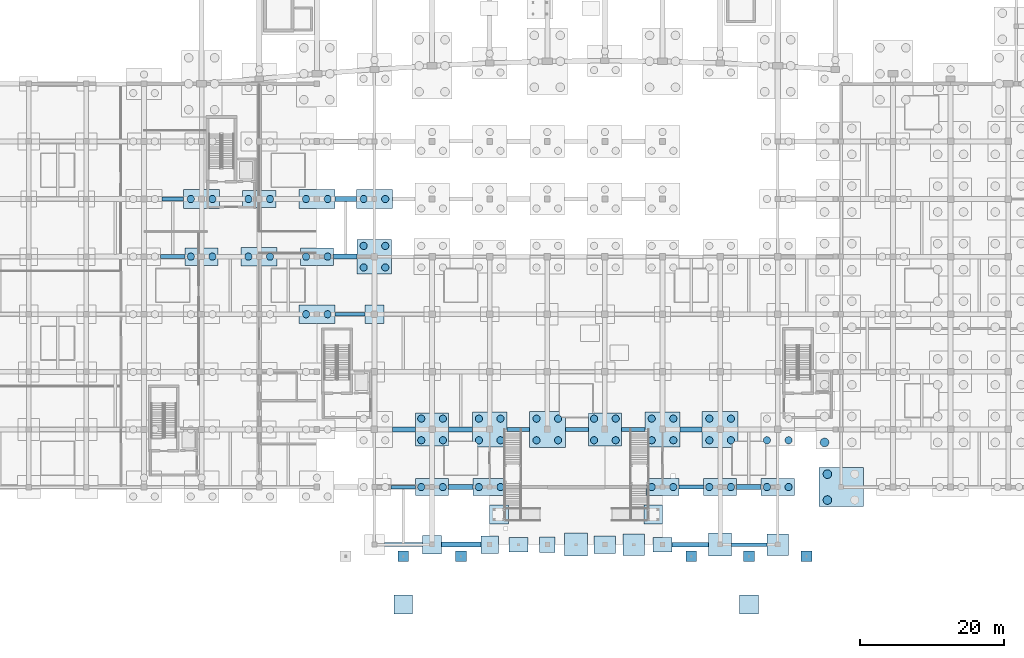
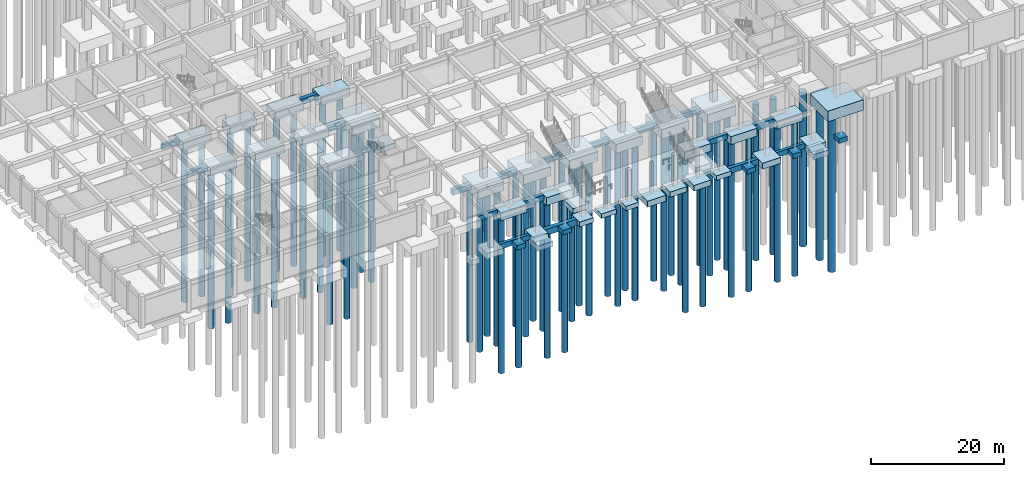
# One storey, part 2 of 45: 60 footings, 59 piles.
"""IFC4 building model written with IfcOpenShell, lengths in metres."""

from ifc_helpers import new_model, si_unit, direction, frame, origin, origin_2d, place, context, subcontext, project, spatial, rectangle, circle, extrude, material, material_profile, profile_set, type_object, element, save


model = new_model("IFC4")

# Units and contexts
model_context = context("Model", 3, precision=1e-05, world=origin(), true_north=direction((0.0, 1.0)))
body_context = subcontext(model_context, "Body", "Model", "MODEL_VIEW")
ifc_project = project(units=[si_unit("LENGTHUNIT", "METRE"), si_unit("AREAUNIT", "SQUARE_METRE"), si_unit("VOLUMEUNIT", "CUBIC_METRE"), si_unit("PLANEANGLEUNIT", "RADIAN"), si_unit("MASSUNIT", "GRAM", prefix="KILO")], contexts=[model_context])

# Site, building, storey
site_placement = place(None, origin())
site = spatial("IfcSite", under=ifc_project, at=site_placement, CompositionType="ELEMENT")
building_placement = place(site_placement, origin())
building = spatial("IfcBuilding", under=site, at=building_placement, Name="Kenh Van Central Station", CompositionType="ELEMENT")
storey_placement = place(building_placement, frame((0.0, 0.0, -5.39990234375)))
storey = spatial("IfcBuildingStorey", under=building, at=storey_placement, Name="B1", CompositionType="ELEMENT", Elevation=-5.39990234375)

# Footings
ifc_material = material(Name="Concrete C40/50", Category="concrete")
ifc_material_profile_1 = material_profile(ifc_material, rectangle(XDim=0.5, YDim=0.89990234375, at=origin_2d()), Name="RC 500x900")
ifc_profile_set_1 = profile_set([ifc_material_profile_1], Name="Concrete C40/50")
footing_type_1 = type_object("IfcFootingType", Name="FBM-500x900", PredefinedType="FOOTING_BEAM", material=ifc_profile_set_1)
footing_1_placement = place(storey_placement, frame((26.5, 48.0, -0.85009765625), z_axis=(1.0, 0.0, 0.0), x_axis=(0.0, 1.0, 0.0)))
element("IfcFooting", 1, at=footing_1_placement, inside=storey, type_object=footing_type_1, Name="Ground tie beam 034", PredefinedType="FOOTING_BEAM", context=body_context, shape_type="SweptSolid", body=[
    extrude(rectangle(XDim=0.5, YDim=0.89990234375, at=origin_2d()), origin(), (0.0, 0.0, 1.0), 3.0),
])
footing_2_placement = place(storey_placement, frame((50.5, 32.0, -0.85009765625), z_axis=(1.0, 0.0, 0.0), x_axis=(0.0, 1.0, 0.0)))
element("IfcFooting", 2, at=footing_2_placement, inside=storey, type_object=footing_type_1, Name="Ground tie beam 039", PredefinedType="FOOTING_BEAM", context=body_context, shape_type="SweptSolid", body=[
    extrude(rectangle(XDim=0.5, YDim=0.89990234375, at=origin_2d()), origin(), (0.0, 0.0, 1.0), 4.199951171875),
])
footing_3_placement = place(storey_placement, frame((58.300048828125, 8.0, -0.85009765625), z_axis=(1.0, 0.0, 0.0), x_axis=(0.0, 1.0, 0.0)))
element("IfcFooting", 3, at=footing_3_placement, inside=storey, type_object=footing_type_1, Name="Ground tie beam 044", PredefinedType="FOOTING_BEAM", context=body_context, shape_type="SweptSolid", body=[
    extrude(rectangle(XDim=0.5, YDim=0.89990234375, at=origin_2d()), origin(), (0.0, 0.0, 1.0), 3.39990234375),
])
footing_4_placement = place(storey_placement, frame((105.60009765625, 0.0, -0.85009765625), z_axis=(1.0, 0.0, 0.0), x_axis=(0.0, 1.0, 0.0)))
element("IfcFooting", 4, at=footing_4_placement, inside=storey, type_object=footing_type_1, Name="Ground tie beam 049", PredefinedType="FOOTING_BEAM", context=body_context, shape_type="SweptSolid", body=[
    extrude(rectangle(XDim=0.5, YDim=0.89990234375, at=origin_2d()), origin(), (0.0, 0.0, 1.0), 4.89990234375),
])
footing_5_placement = place(storey_placement, frame((74.39990234375, 16.0, -0.85009765625), z_axis=(1.0, 0.0, 0.0), x_axis=(0.0, 1.0, 0.0)))
element("IfcFooting", 5, at=footing_5_placement, inside=storey, type_object=footing_type_1, Name="Ground tie beam 059", PredefinedType="FOOTING_BEAM", context=body_context, shape_type="SweptSolid", body=[
    extrude(rectangle(XDim=0.5, YDim=0.89990234375, at=origin_2d()), origin(), (0.0, 0.0, 1.0), 3.10009765625),
])
ifc_material_profile_2 = material_profile(ifc_material, rectangle(XDim=0.550048828125, YDim=0.949951171875, at=origin_2d()), Name="RC 550x950")
ifc_profile_set_2 = profile_set([ifc_material_profile_2], Name="Concrete C40/50")
footing_type_2 = type_object("IfcFootingType", Name="FBM-550x950", PredefinedType="FOOTING_BEAM", material=ifc_profile_set_2)
footing_6_placement = place(storey_placement, frame((26.300048828125, 40.0, -0.875), z_axis=(1.0, 0.0, 0.0), x_axis=(0.0, 1.0, 0.0)))
element("IfcFooting", 6, at=footing_6_placement, inside=storey, type_object=footing_type_2, Name="Ground tie beam 033", PredefinedType="FOOTING_BEAM", context=body_context, shape_type="SweptSolid", body=[
    extrude(rectangle(XDim=0.550048828125, YDim=0.949951171875, at=origin_2d()), origin(), (0.0, 0.0, 1.0), 3.39990234375),
])
footing_7_placement = place(storey_placement, frame((57.39990234375, 0.0, -0.875), z_axis=(1.0, 0.0, 0.0), x_axis=(0.0, 1.0, 0.0)))
element("IfcFooting", 7, at=footing_7_placement, inside=storey, type_object=footing_type_2, Name="Ground tie beam 043", PredefinedType="FOOTING_BEAM", context=body_context, shape_type="SweptSolid", body=[
    extrude(rectangle(XDim=0.550048828125, YDim=0.949951171875, at=origin_2d()), origin(), (0.0, 0.0, 1.0), 5.300048828125),
])
footing_8_placement = place(storey_placement, frame((98.300048828125, 8.0, -0.875), z_axis=(1.0, 0.0, 0.0), x_axis=(0.0, 1.0, 0.0)))
element("IfcFooting", 8, at=footing_8_placement, inside=storey, type_object=footing_type_2, Name="Ground tie beam 048", PredefinedType="FOOTING_BEAM", context=body_context, shape_type="SweptSolid", body=[
    extrude(rectangle(XDim=0.550048828125, YDim=0.949951171875, at=origin_2d()), origin(), (0.0, 0.0, 1.0), 3.39990234375),
])
footing_9_placement = place(storey_placement, frame((82.5, 16.0, -0.875), z_axis=(1.0, 0.0, 0.0), x_axis=(0.0, 1.0, 0.0)))
element("IfcFooting", 9, at=footing_9_placement, inside=storey, type_object=footing_type_2, Name="Ground tie beam 063", PredefinedType="FOOTING_BEAM", context=body_context, shape_type="SweptSolid", body=[
    extrude(rectangle(XDim=0.550048828125, YDim=0.949951171875, at=origin_2d()), origin(), (0.0, 0.0, 1.0), 3.199951171875),
])
ifc_material_profile_3 = material_profile(ifc_material, rectangle(XDim=0.60009765625, YDim=1.0, at=origin_2d()), Name="RC 600x1000")
ifc_profile_set_3 = profile_set([ifc_material_profile_3], Name="Concrete C40/50")
footing_type_3 = type_object("IfcFootingType", Name="FBM-600x1000", PredefinedType="FOOTING_BEAM", material=ifc_profile_set_3)
footing_10_placement = place(storey_placement, frame((97.300048828125, 0.0, -0.900146484375), z_axis=(1.0, 0.0, 0.0), x_axis=(0.0, 1.0, 0.0)))
element("IfcFooting", 10, at=footing_10_placement, inside=storey, type_object=footing_type_3, Name="Ground tie beam 047", PredefinedType="FOOTING_BEAM", context=body_context, shape_type="SweptSolid", body=[
    extrude(rectangle(XDim=0.60009765625, YDim=1.0, at=origin_2d()), origin(), (0.0, 0.0, 1.0), 5.099853515625),
])
footing_11_placement = place(storey_placement, frame((90.300048828125, 16.0, -0.900146484375), z_axis=(1.0, 0.0, 0.0), x_axis=(0.0, 1.0, 0.0)))
element("IfcFooting", 11, at=footing_11_placement, inside=storey, type_object=footing_type_3, Name="Ground tie beam 067", PredefinedType="FOOTING_BEAM", context=body_context, shape_type="SweptSolid", body=[
    extrude(rectangle(XDim=0.60009765625, YDim=1.0, at=origin_2d()), origin(), (0.0, 0.0, 1.0), 3.300048828125),
])
ifc_material_profile_4 = material_profile(ifc_material, rectangle(XDim=0.64990234375, YDim=1.050048828125, at=origin_2d()), Name="RC 650x1050")
ifc_profile_set_4 = profile_set([ifc_material_profile_4], Name="Concrete C40/50")
footing_type_4 = type_object("IfcFootingType", Name="FBM-650x1050", PredefinedType="FOOTING_BEAM", material=ifc_profile_set_4)
footing_12_placement = place(storey_placement, frame((50.5, 48.0, -0.925048828125), z_axis=(1.0, 0.0, 0.0), x_axis=(0.0, 1.0, 0.0)))
element("IfcFooting", 12, at=footing_12_placement, inside=storey, type_object=footing_type_4, Name="Ground tie beam 041", PredefinedType="FOOTING_BEAM", context=body_context, shape_type="SweptSolid", body=[
    extrude(rectangle(XDim=0.64990234375, YDim=1.050048828125, at=origin_2d()), origin(), (0.0, 0.0, 1.0), 3.0),
])
footing_13_placement = place(storey_placement, frame((66.300048828125, 8.0, -0.925048828125), z_axis=(1.0, 0.0, 0.0), x_axis=(0.0, 1.0, 0.0)))
element("IfcFooting", 13, at=footing_13_placement, inside=storey, type_object=footing_type_4, Name="Ground tie beam 046", PredefinedType="FOOTING_BEAM", context=body_context, shape_type="SweptSolid", body=[
    extrude(rectangle(XDim=0.64990234375, YDim=1.050048828125, at=origin_2d()), origin(), (0.0, 0.0, 1.0), 3.39990234375),
])
footing_14_placement = place(storey_placement, frame((58.5, 16.0, -0.925048828125), z_axis=(1.0, 0.0, 0.0), x_axis=(0.0, 1.0, 0.0)))
element("IfcFooting", 14, at=footing_14_placement, inside=storey, type_object=footing_type_4, Name="Ground tie beam 051", PredefinedType="FOOTING_BEAM", context=body_context, shape_type="SweptSolid", body=[
    extrude(rectangle(XDim=0.64990234375, YDim=1.050048828125, at=origin_2d()), origin(), (0.0, 0.0, 1.0), 3.199951171875),
])
footing_15_placement = place(storey_placement, frame((98.39990234375, 16.0, -0.925048828125), z_axis=(1.0, 0.0, 0.0), x_axis=(0.0, 1.0, 0.0)))
element("IfcFooting", 15, at=footing_15_placement, inside=storey, type_object=footing_type_4, Name="Ground tie beam 071", PredefinedType="FOOTING_BEAM", context=body_context, shape_type="SweptSolid", body=[
    extrude(rectangle(XDim=0.64990234375, YDim=1.050048828125, at=origin_2d()), origin(), (0.0, 0.0, 1.0), 3.10009765625),
])
ifc_material_profile_5 = material_profile(ifc_material, rectangle(XDim=0.699951171875, YDim=1.14990234375, at=origin_2d()), Name="RC 700x1150")
ifc_profile_set_5 = profile_set([ifc_material_profile_5], Name="Concrete C40/50")
footing_type_5 = type_object("IfcFootingType", Name="FBM-700x1150", PredefinedType="FOOTING_BEAM", material=ifc_profile_set_5)
footing_16_placement = place(storey_placement, frame((50.300048828125, 40.0, -0.97509765625), z_axis=(1.0, 0.0, 0.0), x_axis=(0.0, 1.0, 0.0)))
element("IfcFooting", 16, at=footing_16_placement, inside=storey, type_object=footing_type_5, Name="Ground tie beam 040", PredefinedType="FOOTING_BEAM", context=body_context, shape_type="SweptSolid", body=[
    extrude(rectangle(XDim=0.699951171875, YDim=1.14990234375, at=origin_2d()), origin(), (0.0, 0.0, 1.0), 3.300048828125),
])
footing_17_placement = place(storey_placement, frame((65.300048828125, 0.0, -0.97509765625), z_axis=(1.0, 0.0, 0.0), x_axis=(0.0, 1.0, 0.0)))
element("IfcFooting", 17, at=footing_17_placement, inside=storey, type_object=footing_type_5, Name="Ground tie beam 045", PredefinedType="FOOTING_BEAM", context=body_context, shape_type="SweptSolid", body=[
    extrude(rectangle(XDim=0.699951171875, YDim=1.14990234375, at=origin_2d()), origin(), (0.0, 0.0, 1.0), 5.5),
])
footing_18_placement = place(storey_placement, frame((106.300048828125, 8.0, -0.97509765625), z_axis=(1.0, 0.0, 0.0), x_axis=(0.0, 1.0, 0.0)))
element("IfcFooting", 18, at=footing_18_placement, inside=storey, type_object=footing_type_5, Name="Ground tie beam 050", PredefinedType="FOOTING_BEAM", context=body_context, shape_type="SweptSolid", body=[
    extrude(rectangle(XDim=0.699951171875, YDim=1.14990234375, at=origin_2d()), origin(), (0.0, 0.0, 1.0), 3.39990234375),
])
footing_19_placement = place(storey_placement, frame((66.300048828125, 16.0, -0.97509765625), z_axis=(1.0, 0.0, 0.0), x_axis=(0.0, 1.0, 0.0)))
element("IfcFooting", 19, at=footing_19_placement, inside=storey, type_object=footing_type_5, Name="Ground tie beam 055", PredefinedType="FOOTING_BEAM", context=body_context, shape_type="SweptSolid", body=[
    extrude(rectangle(XDim=0.699951171875, YDim=1.14990234375, at=origin_2d()), origin(), (0.0, 0.0, 1.0), 3.300048828125),
])
footing_type_6 = type_object("IfcFootingType", Name="FCAP-2P-4600x2400x1450", PredefinedType="PILE_CAP", material=ifc_material)
for number, where, z_axis, x_axis, name in (
    (20, (32.0, 40.0, -1.85009765625), (0.0, 0.0, 1.0), (1.0, 0.0, 0.0), "Foundation FDN-097"),
    (21, (40.0, 48.0, -1.85009765625), (0.0, 0.0, 1.0), (1.0, 0.0, 0.0), "Foundation FDN-105"),
    (22, (48.0, 40.0, -1.85009765625), (0.0, 0.0, 1.0), (1.0, 0.0, 0.0), "Foundation FDN-111"),
    (23, (64.0, 8.0, -1.85009765625), (0.0, 0.0, 1.0), (1.0, 0.0, 0.0), "Foundation FDN-127"),
    (24, (72.0, 8.0, -1.85009765625), (0.0, 0.0, 1.0), (1.0, 0.0, 0.0), "Foundation FDN-129"),
    (25, (96.0, 8.0, -1.85009765625), (0.0, 0.0, 1.0), (1.0, 0.0, 0.0), "Foundation FDN-133"),
    (26, (104.0, 8.0, -1.85009765625), (0.0, 0.0, 1.0), (1.0, 0.0, 0.0), "Foundation FDN-135"),
    (27, (112.0, 8.0, -1.85009765625), (0.0, 0.0, 1.0), (1.0, 0.0, 0.0), "Foundation FDN-137"),
):
    element("IfcFooting", number, at=place(storey_placement, frame(where, z_axis=z_axis, x_axis=x_axis)), inside=storey, type_object=footing_type_6, Name=name, PredefinedType="PILE_CAP", context=body_context, shape_type="SweptSolid", body=[
        extrude(rectangle(XDim=4.60009765625, YDim=2.39990234375, at=origin_2d()), origin(), (0.0, 0.0, 1.0), 1.449951171875),
    ])
footing_type_7 = type_object("IfcFootingType", Name="FCAP-2P-5000x2600x1550", PredefinedType="PILE_CAP", material=ifc_material)
for number, where, z_axis, x_axis, name in (
    (28, (32.0, 48.0, -1.9501953125), (0.0, 0.0, 1.0), (1.0, 0.0, 0.0), "Foundation FDN-098"),
    (29, (40.0, 40.0, -1.9501953125), (0.0, 0.0, 1.0), (1.0, 0.0, 0.0), "Foundation FDN-104"),
    (30, (48.0, 32.0, -1.9501953125), (0.0, 0.0, 1.0), (1.0, 0.0, 0.0), "Foundation FDN-110"),
    (31, (48.0, 48.0, -1.9501953125), (0.0, 0.0, 1.0), (1.0, 0.0, 0.0), "Foundation FDN-112"),
    (32, (56.0, 48.0, -1.9501953125), (0.0, 0.0, 1.0), (1.0, 0.0, 0.0), "Foundation FDN-174"),
):
    element("IfcFooting", number, at=place(storey_placement, frame(where, z_axis=z_axis, x_axis=x_axis)), inside=storey, type_object=footing_type_7, Name=name, PredefinedType="PILE_CAP", context=body_context, shape_type="SweptSolid", body=[
        extrude(rectangle(XDim=5.0, YDim=2.60009765625, at=origin_2d()), origin(), (0.0, 0.0, 1.0), 1.550048828125),
    ])
footing_type_8 = type_object("IfcFootingType", Name="FCAP-4P-4600x4600x1650", PredefinedType="PILE_CAP", material=ifc_material)
for number, where, z_axis, x_axis, name in (
    (33, (64.0, 16.0, -2.050048828125), (0.0, 0.0, 1.0), (1.0, 0.0, 0.0), "Foundation FDN-142"),
    (34, (88.0, 16.0, -2.050048828125), (0.0, 0.0, 1.0), (1.0, 0.0, 0.0), "Foundation FDN-154"),
):
    element("IfcFooting", number, at=place(storey_placement, frame(where, z_axis=z_axis, x_axis=x_axis)), inside=storey, type_object=footing_type_8, Name=name, PredefinedType="PILE_CAP", context=body_context, shape_type="SweptSolid", body=[
        extrude(rectangle(XDim=4.60009765625, YDim=4.60009765625, at=origin_2d()), origin(), (0.0, 0.0, 1.0), 1.64990234375),
    ])
footing_type_9 = type_object("IfcFootingType", Name="FCAP-4P-4800x4800x1700", PredefinedType="PILE_CAP", material=ifc_material)
for number, where, z_axis, x_axis, name in (
    (35, (56.0, 40.0, -2.10009765625), (0.0, 0.0, 1.0), (1.0, 0.0, 0.0), "Foundation FDN-141"),
    (36, (72.0, 16.0, -2.10009765625), (0.0, 0.0, 1.0), (1.0, 0.0, 0.0), "Foundation FDN-146"),
    (37, (96.0, 16.0, -2.10009765625), (0.0, 0.0, 1.0), (1.0, 0.0, 0.0), "Foundation FDN-158"),
):
    element("IfcFooting", number, at=place(storey_placement, frame(where, z_axis=z_axis, x_axis=x_axis)), inside=storey, type_object=footing_type_9, Name=name, PredefinedType="PILE_CAP", context=body_context, shape_type="SweptSolid", body=[
        extrude(rectangle(XDim=4.800048828125, YDim=4.800048828125, at=origin_2d()), origin(), (0.0, 0.0, 1.0), 1.699951171875),
    ])
footing_type_10 = type_object("IfcFootingType", Name="FCAP-4P-5000x5000x1750", PredefinedType="PILE_CAP", material=ifc_material)
for number, where, z_axis, x_axis, name in (
    (38, (80.0, 16.0, -2.150146484375), (0.0, 0.0, 1.0), (1.0, 0.0, 0.0), "Foundation FDN-150"),
    (39, (104.0, 16.0, -2.150146484375), (0.0, 0.0, 1.0), (1.0, 0.0, 0.0), "Foundation FDN-162"),
):
    element("IfcFooting", number, at=place(storey_placement, frame(where, z_axis=z_axis, x_axis=x_axis)), inside=storey, type_object=footing_type_10, Name=name, PredefinedType="PILE_CAP", context=body_context, shape_type="SweptSolid", body=[
        extrude(rectangle(XDim=5.0, YDim=5.0, at=origin_2d()), origin(), (0.0, 0.0, 1.0), 1.75),
    ])
footing_type_11 = type_object("IfcFootingType", Name="FCAP-4P-6200x5400x1950", PredefinedType="PILE_CAP", material=ifc_material)
footing_20_placement = place(storey_placement, frame((120.800048828125, 8.0, -2.35009765625), z_axis=(0.0, 0.0, 1.0), x_axis=(1.0, 0.0, 0.0)))
element("IfcFooting", 40, at=footing_20_placement, inside=storey, type_object=footing_type_11, Name="Foundation FDN-190", PredefinedType="PILE_CAP", context=body_context, shape_type="SweptSolid", body=[
    extrude(rectangle(XDim=6.199951171875, YDim=5.39990234375, at=origin_2d()), origin(), (0.0, 0.0, 1.0), 1.949951171875),
])
footing_type_12 = type_object("IfcFootingType", Name="FPAD-2200x2200x850", PredefinedType="PAD_FOOTING", material=ifc_material)
footing_21_placement = place(storey_placement, frame((80.0, 0.0, -1.250244140625), z_axis=(0.0, 0.0, 1.0), x_axis=(1.0, 0.0, 0.0)))
element("IfcFooting", 41, at=footing_21_placement, inside=storey, type_object=footing_type_12, Name="Foundation FDN-130", PredefinedType="PAD_FOOTING", context=body_context, shape_type="SweptSolid", body=[
    extrude(rectangle(XDim=2.199951171875, YDim=2.199951171875, at=origin_2d()), origin(), (0.0, 0.0, 1.0), 0.85009765625),
])
for number, where, z_axis, x_axis, name in (
    (42, (60.0, -1.60009765625, -0.85009765625), (0.0, 0.0, 1.0), (1.0, 0.0, 0.0), "B1 forecourt apron pad footing 12"),
    (43, (68.0, -1.60009765625, -0.85009765625), (0.0, 0.0, 1.0), (1.0, 0.0, 0.0), "B1 forecourt apron pad footing 13"),
    (44, (100.0, -1.60009765625, -0.85009765625), (0.0, 0.0, 1.0), (1.0, 0.0, 0.0), "B1 forecourt apron pad footing 21"),
    (45, (108.0, -1.60009765625, -0.85009765625), (0.0, 0.0, 1.0), (1.0, 0.0, 0.0), "B1 forecourt apron pad footing 22"),
    (46, (116.0, -1.60009765625, -0.85009765625), (0.0, 0.0, 1.0), (1.0, 0.0, 0.0), "B1 forecourt apron pad footing 23"),
):
    element("IfcFooting", number, at=place(storey_placement, frame(where, z_axis=z_axis, x_axis=x_axis)), inside=storey, type_object=footing_type_12, Name=name, PredefinedType="PAD_FOOTING", context=body_context, shape_type="SweptSolid", body=[
        extrude(rectangle(XDim=1.5, YDim=1.5, at=origin_2d()), origin(), (0.0, 0.0, 1.0), 0.85009765625),
    ])
footing_type_13 = type_object("IfcFootingType", Name="FPAD-2400x2400x900", PredefinedType="PAD_FOOTING", material=ifc_material)
footing_22_placement = place(storey_placement, frame((72.0, 0.0, -1.300048828125), z_axis=(0.0, 0.0, 1.0), x_axis=(1.0, 0.0, 0.0)))
element("IfcFooting", 47, at=footing_22_placement, inside=storey, type_object=footing_type_13, Name="Foundation FDN-128", PredefinedType="PAD_FOOTING", context=body_context, shape_type="SweptSolid", body=[
    extrude(rectangle(XDim=2.39990234375, YDim=2.39990234375, at=origin_2d()), origin(), (0.0, 0.0, 1.0), 0.89990234375),
])
footing_type_14 = type_object("IfcFootingType", Name="FPAD-2600x2000x850", PredefinedType="PAD_FOOTING", material=ifc_material)
for number, where, z_axis, x_axis, name in (
    (48, (76.0, 0.0, -1.250244140625), (0.0, 0.0, 1.0), (1.0, 0.0, 0.0), "Foundation FDN-121"),
    (49, (96.0, 0.0, -1.250244140625), (0.0, 0.0, 1.0), (1.0, 0.0, 0.0), "Foundation FDN-132"),
):
    element("IfcFooting", number, at=place(storey_placement, frame(where, z_axis=z_axis, x_axis=x_axis)), inside=storey, type_object=footing_type_14, Name=name, PredefinedType="PAD_FOOTING", context=body_context, shape_type="SweptSolid", body=[
        extrude(rectangle(XDim=2.60009765625, YDim=2.0, at=origin_2d()), origin(), (0.0, 0.0, 1.0), 0.85009765625),
    ])
footing_type_15 = type_object("IfcFootingType", Name="FPAD-2600x2600x950", PredefinedType="PAD_FOOTING", material=ifc_material)
for number, where, z_axis, x_axis, name in (
    (50, (64.0, 0.0, -1.35009765625), (0.0, 0.0, 1.0), (1.0, 0.0, 0.0), "Foundation FDN-126"),
    (51, (56.0, 32.0, -1.35009765625), (0.0, 0.0, 1.0), (1.0, 0.0, 0.0), "Foundation FDN-140"),
    (52, (60.0, -8.300048828125, 3.5498046875), (0.0, 0.0, 1.0), (0.0, 1.0, 0.0), "Forecourt West Drop-Off Accessible Ramp landing footing"),
    (53, (108.0, -8.300048828125, 3.5498046875), (0.0, 0.0, 1.0), (0.0, 1.0, 0.0), "Forecourt East Drop-Off Accessible Ramp landing footing"),
    (54, (73.300048828125, 4.199951171875, -1.80029296875), (0.0, 0.0, 1.0), (1.0, 0.0, 0.0), "Sunken Metro Plaza West Garden Ramp landing footing"),
    (55, (94.699951171875, 4.199951171875, -1.80029296875), (0.0, 0.0, 1.0), (-1.0, 0.0, 0.0), "Sunken Metro Plaza East Garden Ramp landing footing"),
):
    element("IfcFooting", number, at=place(storey_placement, frame(where, z_axis=z_axis, x_axis=x_axis)), inside=storey, type_object=footing_type_15, Name=name, PredefinedType="PAD_FOOTING", context=body_context, shape_type="SweptSolid", body=[
        extrude(rectangle(XDim=2.60009765625, YDim=2.60009765625, at=origin_2d()), origin(), (0.0, 0.0, 1.0), 0.949951171875),
    ])
footing_type_16 = type_object("IfcFootingType", Name="FPAD-3000x2400x950", PredefinedType="PAD_FOOTING", material=ifc_material)
footing_23_placement = place(storey_placement, frame((88.0, 0.0, -1.35009765625), z_axis=(0.0, 0.0, 1.0), x_axis=(1.0, 0.0, 0.0)))
element("IfcFooting", 56, at=footing_23_placement, inside=storey, type_object=footing_type_16, Name="Foundation FDN-131", PredefinedType="PAD_FOOTING", context=body_context, shape_type="SweptSolid", body=[
    extrude(rectangle(XDim=3.0, YDim=2.39990234375, at=origin_2d()), origin(), (0.0, 0.0, 1.0), 0.949951171875),
])
footing_type_17 = type_object("IfcFootingType", Name="FPAD-3000x3000x1050", PredefinedType="PAD_FOOTING", material=ifc_material)
for number, where, z_axis, x_axis, name in (
    (57, (92.0, 0.0, -1.4501953125), (0.0, 0.0, 1.0), (1.0, 0.0, 0.0), "Foundation FDN-123"),
    (58, (112.0, 0.0, -1.4501953125), (0.0, 0.0, 1.0), (1.0, 0.0, 0.0), "Foundation FDN-136"),
):
    element("IfcFooting", number, at=place(storey_placement, frame(where, z_axis=z_axis, x_axis=x_axis)), inside=storey, type_object=footing_type_17, Name=name, PredefinedType="PAD_FOOTING", context=body_context, shape_type="SweptSolid", body=[
        extrude(rectangle(XDim=3.0, YDim=3.0, at=origin_2d()), origin(), (0.0, 0.0, 1.0), 1.050048828125),
    ])
footing_type_18 = type_object("IfcFootingType", Name="FPAD-3200x3200x1100", PredefinedType="PAD_FOOTING", material=ifc_material)
for number, where, z_axis, x_axis, name in (
    (59, (84.0, 0.0, -1.500244140625), (0.0, 0.0, 1.0), (1.0, 0.0, 0.0), "Foundation FDN-122"),
    (60, (104.0, 0.0, -1.500244140625), (0.0, 0.0, 1.0), (1.0, 0.0, 0.0), "Foundation FDN-134"),
):
    element("IfcFooting", number, at=place(storey_placement, frame(where, z_axis=z_axis, x_axis=x_axis)), inside=storey, type_object=footing_type_18, Name=name, PredefinedType="PAD_FOOTING", context=body_context, shape_type="SweptSolid", body=[
        extrude(rectangle(XDim=3.199951171875, YDim=3.199951171875, at=origin_2d()), origin(), (0.0, 0.0, 1.0), 1.10009765625),
    ])

# Piles
ifc_material_profile_6 = material_profile(ifc_material, circle(Radius=0.5, at=origin_2d()), Name="PILE D1000")
ifc_profile_set_6 = profile_set([ifc_material_profile_6], Name="Concrete C40/50")
pile_type_1 = type_object("IfcPileType", Name="PILE-BORED-1000", PredefinedType="BORED", material=ifc_profile_set_6)
for number, where, z_axis, x_axis, name in (
    (61, (30.5, 40.0, -1.75), (0.0, 0.0, -1.0), (1.0, 0.0, 0.0), "Bored pile 0272"),
    (62, (33.5, 40.0, -1.75), (0.0, 0.0, -1.0), (1.0, 0.0, 0.0), "Bored pile 0273"),
):
    element("IfcPile", number, at=place(storey_placement, frame(where, z_axis=z_axis, x_axis=x_axis)), inside=storey, type_object=pile_type_1, Name=name, PredefinedType="BORED", context=body_context, shape_type="SweptSolid", body=[
        extrude(circle(Radius=0.5, at=origin_2d()), origin(), (0.0, 0.0, 1.0), 28.85009765625),
    ])
for number, where, z_axis, x_axis, name in (
    (63, (30.5, 48.0, -1.85009765625), (0.0, 0.0, -1.0), (1.0, 0.0, 0.0), "Bored pile 0274"),
    (64, (33.5, 48.0, -1.85009765625), (0.0, 0.0, -1.0), (1.0, 0.0, 0.0), "Bored pile 0275"),
    (65, (38.5, 40.0, -1.85009765625), (0.0, 0.0, -1.0), (1.0, 0.0, 0.0), "Bored pile 0287"),
    (66, (41.5, 40.0, -1.85009765625), (0.0, 0.0, -1.0), (1.0, 0.0, 0.0), "Bored pile 0288"),
):
    element("IfcPile", number, at=place(storey_placement, frame(where, z_axis=z_axis, x_axis=x_axis)), inside=storey, type_object=pile_type_1, Name=name, PredefinedType="BORED", context=body_context, shape_type="SweptSolid", body=[
        extrude(circle(Radius=0.5, at=origin_2d()), origin(), (0.0, 0.0, 1.0), 28.75),
    ])
for number, where, z_axis, x_axis, name in (
    (67, (38.5, 48.0, -1.75), (0.0, 0.0, -1.0), (1.0, 0.0, 0.0), "Bored pile 0289"),
    (68, (41.5, 48.0, -1.75), (0.0, 0.0, -1.0), (1.0, 0.0, 0.0), "Bored pile 0290"),
):
    element("IfcPile", number, at=place(storey_placement, frame(where, z_axis=z_axis, x_axis=x_axis)), inside=storey, type_object=pile_type_1, Name=name, PredefinedType="BORED", context=body_context, shape_type="SweptSolid", body=[
        extrude(circle(Radius=0.5, at=origin_2d()), origin(), (0.0, 0.0, 1.0), 28.85009765625),
    ])
for number, where, z_axis, x_axis, name in (
    (69, (46.5, 32.0, -1.85009765625), (0.0, 0.0, -1.0), (1.0, 0.0, 0.0), "Bored pile 0300"),
    (70, (49.5, 32.0, -1.85009765625), (0.0, 0.0, -1.0), (1.0, 0.0, 0.0), "Bored pile 0301"),
):
    element("IfcPile", number, at=place(storey_placement, frame(where, z_axis=z_axis, x_axis=x_axis)), inside=storey, type_object=pile_type_1, Name=name, PredefinedType="BORED", context=body_context, shape_type="SweptSolid", body=[
        extrude(circle(Radius=0.5, at=origin_2d()), origin(), (0.0, 0.0, 1.0), 28.75),
    ])
for number, where, z_axis, x_axis, name in (
    (71, (46.5, 40.0, -1.75), (0.0, 0.0, -1.0), (1.0, 0.0, 0.0), "Bored pile 0302"),
    (72, (49.5, 40.0, -1.75), (0.0, 0.0, -1.0), (1.0, 0.0, 0.0), "Bored pile 0303"),
):
    element("IfcPile", number, at=place(storey_placement, frame(where, z_axis=z_axis, x_axis=x_axis)), inside=storey, type_object=pile_type_1, Name=name, PredefinedType="BORED", context=body_context, shape_type="SweptSolid", body=[
        extrude(circle(Radius=0.5, at=origin_2d()), origin(), (0.0, 0.0, 1.0), 28.85009765625),
    ])
for number, where, z_axis, x_axis, name in (
    (73, (46.5, 48.0, -1.85009765625), (0.0, 0.0, -1.0), (1.0, 0.0, 0.0), "Bored pile 0304"),
    (74, (49.5, 48.0, -1.85009765625), (0.0, 0.0, -1.0), (1.0, 0.0, 0.0), "Bored pile 0305"),
):
    element("IfcPile", number, at=place(storey_placement, frame(where, z_axis=z_axis, x_axis=x_axis)), inside=storey, type_object=pile_type_1, Name=name, PredefinedType="BORED", context=body_context, shape_type="SweptSolid", body=[
        extrude(circle(Radius=0.5, at=origin_2d()), origin(), (0.0, 0.0, 1.0), 28.75),
    ])
for number, where, z_axis, x_axis, name in (
    (75, (62.5, 8.0, -1.75), (0.0, 0.0, -1.0), (1.0, 0.0, 0.0), "Bored pile 0310"),
    (76, (65.5, 8.0, -1.75), (0.0, 0.0, -1.0), (1.0, 0.0, 0.0), "Bored pile 0311"),
    (77, (70.5, 8.0, -1.75), (0.0, 0.0, -1.0), (1.0, 0.0, 0.0), "Bored pile 0312"),
    (78, (73.5, 8.0, -1.75), (0.0, 0.0, -1.0), (1.0, 0.0, 0.0), "Bored pile 0313"),
    (79, (94.5, 8.0, -1.75), (0.0, 0.0, -1.0), (1.0, 0.0, 0.0), "Bored pile 0314"),
    (80, (97.5, 8.0, -1.75), (0.0, 0.0, -1.0), (1.0, 0.0, 0.0), "Bored pile 0315"),
    (81, (102.5, 8.0, -1.75), (0.0, 0.0, -1.0), (1.0, 0.0, 0.0), "Bored pile 0316"),
    (82, (105.5, 8.0, -1.75), (0.0, 0.0, -1.0), (1.0, 0.0, 0.0), "Bored pile 0317"),
    (83, (110.5, 8.0, -1.75), (0.0, 0.0, -1.0), (1.0, 0.0, 0.0), "Bored pile 0318"),
    (84, (113.5, 8.0, -1.75), (0.0, 0.0, -1.0), (1.0, 0.0, 0.0), "Bored pile 0319"),
):
    element("IfcPile", number, at=place(storey_placement, frame(where, z_axis=z_axis, x_axis=x_axis)), inside=storey, type_object=pile_type_1, Name=name, PredefinedType="BORED", context=body_context, shape_type="SweptSolid", body=[
        extrude(circle(Radius=0.5, at=origin_2d()), origin(), (0.0, 0.0, 1.0), 28.85009765625),
    ])
for number, where, z_axis, x_axis, name in (
    (85, (54.5, 38.5, -2.0), (0.0, 0.0, -1.0), (1.0, 0.0, 0.0), "Bored pile 0324"),
    (86, (54.5, 41.5, -2.0), (0.0, 0.0, -1.0), (1.0, 0.0, 0.0), "Bored pile 0325"),
    (87, (57.5, 38.5, -2.0), (0.0, 0.0, -1.0), (1.0, 0.0, 0.0), "Bored pile 0326"),
    (88, (57.5, 41.5, -2.0), (0.0, 0.0, -1.0), (1.0, 0.0, 0.0), "Bored pile 0327"),
):
    element("IfcPile", number, at=place(storey_placement, frame(where, z_axis=z_axis, x_axis=x_axis)), inside=storey, type_object=pile_type_1, Name=name, PredefinedType="BORED", context=body_context, shape_type="SweptSolid", body=[
        extrude(circle(Radius=0.5, at=origin_2d()), origin(), (0.0, 0.0, 1.0), 28.60009765625),
    ])
for number, where, z_axis, x_axis, name in (
    (89, (62.5, 14.5, -1.9501953125), (0.0, 0.0, -1.0), (1.0, 0.0, 0.0), "Bored pile 0328"),
    (90, (62.5, 17.5, -1.9501953125), (0.0, 0.0, -1.0), (1.0, 0.0, 0.0), "Bored pile 0329"),
    (91, (65.5, 14.5, -1.9501953125), (0.0, 0.0, -1.0), (1.0, 0.0, 0.0), "Bored pile 0330"),
    (92, (65.5, 17.5, -1.9501953125), (0.0, 0.0, -1.0), (1.0, 0.0, 0.0), "Bored pile 0331"),
):
    element("IfcPile", number, at=place(storey_placement, frame(where, z_axis=z_axis, x_axis=x_axis)), inside=storey, type_object=pile_type_1, Name=name, PredefinedType="BORED", context=body_context, shape_type="SweptSolid", body=[
        extrude(circle(Radius=0.5, at=origin_2d()), origin(), (0.0, 0.0, 1.0), 28.64990234375),
    ])
for number, where, z_axis, x_axis, name in (
    (93, (70.5, 14.5, -2.0), (0.0, 0.0, -1.0), (1.0, 0.0, 0.0), "Bored pile 0336"),
    (94, (70.5, 17.5, -2.0), (0.0, 0.0, -1.0), (1.0, 0.0, 0.0), "Bored pile 0337"),
    (95, (73.5, 14.5, -2.0), (0.0, 0.0, -1.0), (1.0, 0.0, 0.0), "Bored pile 0338"),
    (96, (73.5, 17.5, -2.0), (0.0, 0.0, -1.0), (1.0, 0.0, 0.0), "Bored pile 0339"),
):
    element("IfcPile", number, at=place(storey_placement, frame(where, z_axis=z_axis, x_axis=x_axis)), inside=storey, type_object=pile_type_1, Name=name, PredefinedType="BORED", context=body_context, shape_type="SweptSolid", body=[
        extrude(circle(Radius=0.5, at=origin_2d()), origin(), (0.0, 0.0, 1.0), 28.60009765625),
    ])
for number, where, z_axis, x_axis, name in (
    (97, (78.5, 14.5, -2.050048828125), (0.0, 0.0, -1.0), (1.0, 0.0, 0.0), "Bored pile 0344"),
    (98, (78.5, 17.5, -2.050048828125), (0.0, 0.0, -1.0), (1.0, 0.0, 0.0), "Bored pile 0345"),
    (99, (81.5, 14.5, -2.050048828125), (0.0, 0.0, -1.0), (1.0, 0.0, 0.0), "Bored pile 0346"),
    (100, (81.5, 17.5, -2.050048828125), (0.0, 0.0, -1.0), (1.0, 0.0, 0.0), "Bored pile 0347"),
):
    element("IfcPile", number, at=place(storey_placement, frame(where, z_axis=z_axis, x_axis=x_axis)), inside=storey, type_object=pile_type_1, Name=name, PredefinedType="BORED", context=body_context, shape_type="SweptSolid", body=[
        extrude(circle(Radius=0.5, at=origin_2d()), origin(), (0.0, 0.0, 1.0), 28.550048828125),
    ])
for number, where, z_axis, x_axis, name in (
    (101, (86.5, 14.5, -1.9501953125), (0.0, 0.0, -1.0), (1.0, 0.0, 0.0), "Bored pile 0352"),
    (102, (86.5, 17.5, -1.9501953125), (0.0, 0.0, -1.0), (1.0, 0.0, 0.0), "Bored pile 0353"),
    (103, (89.5, 14.5, -1.9501953125), (0.0, 0.0, -1.0), (1.0, 0.0, 0.0), "Bored pile 0354"),
    (104, (89.5, 17.5, -1.9501953125), (0.0, 0.0, -1.0), (1.0, 0.0, 0.0), "Bored pile 0355"),
):
    element("IfcPile", number, at=place(storey_placement, frame(where, z_axis=z_axis, x_axis=x_axis)), inside=storey, type_object=pile_type_1, Name=name, PredefinedType="BORED", context=body_context, shape_type="SweptSolid", body=[
        extrude(circle(Radius=0.5, at=origin_2d()), origin(), (0.0, 0.0, 1.0), 28.64990234375),
    ])
for number, where, z_axis, x_axis, name in (
    (105, (94.5, 14.5, -2.0), (0.0, 0.0, -1.0), (1.0, 0.0, 0.0), "Bored pile 0360"),
    (106, (94.5, 17.5, -2.0), (0.0, 0.0, -1.0), (1.0, 0.0, 0.0), "Bored pile 0361"),
    (107, (97.5, 14.5, -2.0), (0.0, 0.0, -1.0), (1.0, 0.0, 0.0), "Bored pile 0362"),
    (108, (97.5, 17.5, -2.0), (0.0, 0.0, -1.0), (1.0, 0.0, 0.0), "Bored pile 0363"),
):
    element("IfcPile", number, at=place(storey_placement, frame(where, z_axis=z_axis, x_axis=x_axis)), inside=storey, type_object=pile_type_1, Name=name, PredefinedType="BORED", context=body_context, shape_type="SweptSolid", body=[
        extrude(circle(Radius=0.5, at=origin_2d()), origin(), (0.0, 0.0, 1.0), 28.60009765625),
    ])
for number, where, z_axis, x_axis, name in (
    (109, (102.5, 14.5, -2.050048828125), (0.0, 0.0, -1.0), (1.0, 0.0, 0.0), "Bored pile 0368"),
    (110, (102.5, 17.5, -2.050048828125), (0.0, 0.0, -1.0), (1.0, 0.0, 0.0), "Bored pile 0369"),
    (111, (105.5, 14.5, -2.050048828125), (0.0, 0.0, -1.0), (1.0, 0.0, 0.0), "Bored pile 0370"),
    (112, (105.5, 17.5, -2.050048828125), (0.0, 0.0, -1.0), (1.0, 0.0, 0.0), "Bored pile 0371"),
):
    element("IfcPile", number, at=place(storey_placement, frame(where, z_axis=z_axis, x_axis=x_axis)), inside=storey, type_object=pile_type_1, Name=name, PredefinedType="BORED", context=body_context, shape_type="SweptSolid", body=[
        extrude(circle(Radius=0.5, at=origin_2d()), origin(), (0.0, 0.0, 1.0), 28.550048828125),
    ])
for number, where, z_axis, x_axis, name in (
    (113, (110.5, 14.5, -1.9501953125), (0.0, 0.0, -1.0), (1.0, 0.0, 0.0), "Bored pile 0376"),
    (114, (113.5, 14.5, -1.9501953125), (0.0, 0.0, -1.0), (1.0, 0.0, 0.0), "Bored pile 0378"),
):
    element("IfcPile", number, at=place(storey_placement, frame(where, z_axis=z_axis, x_axis=x_axis)), inside=storey, type_object=pile_type_1, Name=name, PredefinedType="BORED", context=body_context, shape_type="SweptSolid", body=[
        extrude(circle(Radius=0.5, at=origin_2d()), origin(), (0.0, 0.0, 1.0), 28.64990234375),
    ])
for number, where, z_axis, x_axis, name in (
    (115, (54.5, 48.0, -1.85009765625), (0.0, 0.0, -1.0), (1.0, 0.0, 0.0), "Bored pile 0400"),
    (116, (57.5, 48.0, -1.85009765625), (0.0, 0.0, -1.0), (1.0, 0.0, 0.0), "Bored pile 0401"),
):
    element("IfcPile", number, at=place(storey_placement, frame(where, z_axis=z_axis, x_axis=x_axis)), inside=storey, type_object=pile_type_1, Name=name, PredefinedType="BORED", context=body_context, shape_type="SweptSolid", body=[
        extrude(circle(Radius=0.5, at=origin_2d()), origin(), (0.0, 0.0, 1.0), 28.75),
    ])
ifc_material_profile_7 = material_profile(ifc_material, circle(Radius=0.60009765625, at=origin_2d()), Name="PILE D1200")
ifc_profile_set_7 = profile_set([ifc_material_profile_7], Name="Concrete C40/50")
pile_type_2 = type_object("IfcPileType", Name="PILE-BORED-1200", PredefinedType="BORED", material=ifc_profile_set_7)
for number, where, z_axis, x_axis, name in (
    (117, (118.5, 14.199951171875, -2.25), (0.0, 0.0, -1.0), (1.0, 0.0, 0.0), "Bored pile 0384"),
    (118, (118.89990234375, 6.199951171875, -2.25), (0.0, 0.0, -1.0), (1.0, 0.0, 0.0), "Bored pile 0446"),
    (119, (118.89990234375, 9.800048828125, -2.25), (0.0, 0.0, -1.0), (1.0, 0.0, 0.0), "Bored pile 0447"),
):
    element("IfcPile", number, at=place(storey_placement, frame(where, z_axis=z_axis, x_axis=x_axis)), inside=storey, type_object=pile_type_2, Name=name, PredefinedType="BORED", context=body_context, shape_type="SweptSolid", body=[
        extrude(circle(Radius=0.60009765625, at=origin_2d()), origin(), (0.0, 0.0, 1.0), 28.35009765625),
    ])

save(model, "model.ifc")
